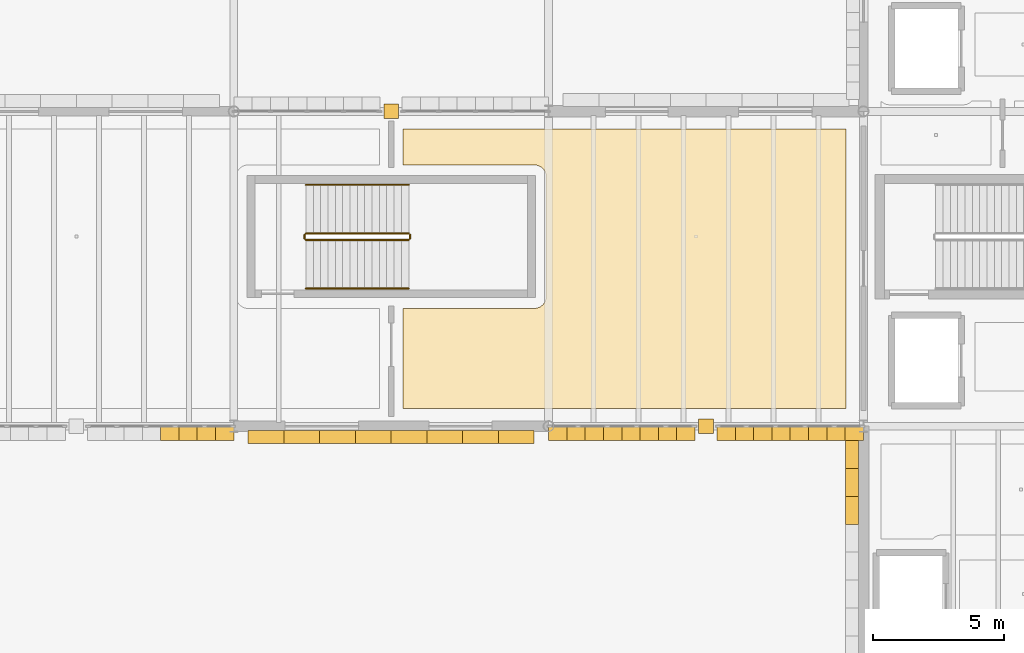
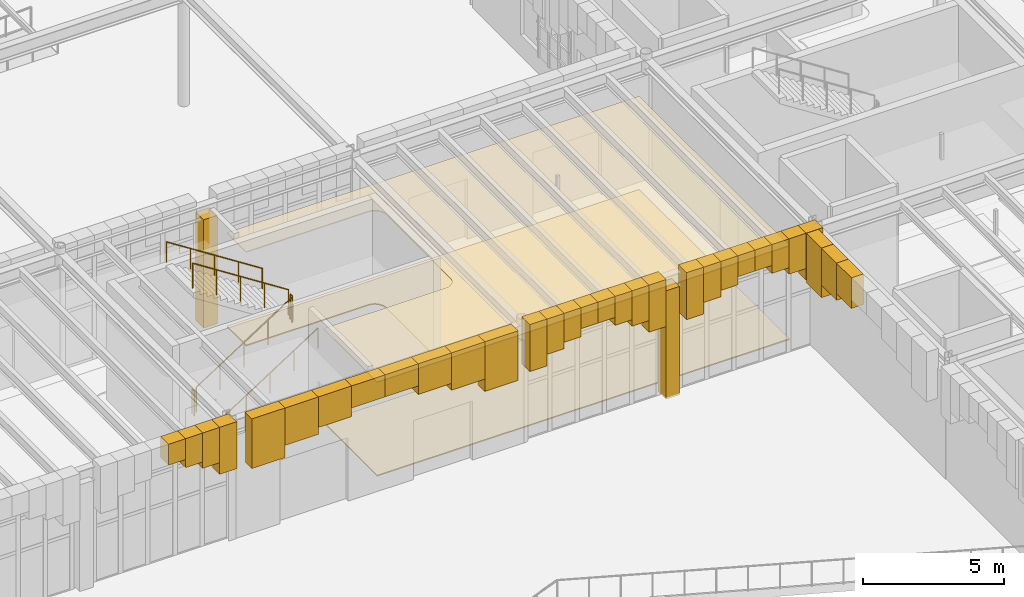
# One storey, part 87 of 103: 35 coverings, 6 railings.
"""IFC4 building model written with IfcOpenShell, lengths in metres."""

from ifc_helpers import new_model, si_unit, direction, frame, origin, origin_2d, place, context, subcontext, project, spatial, polyline, circle, outline, extrude, material, layer, layer_set, type_object, element, save


model = new_model("IFC4")

# Units and contexts
model_context = context("Model", 3, precision=1e-05, world=origin(), true_north=direction((0.0, 1.0)))
body_context = subcontext(model_context, "Body", "Model", "MODEL_VIEW")
ifc_project = project(units=[si_unit("LENGTHUNIT", "METRE"), si_unit("AREAUNIT", "SQUARE_METRE"), si_unit("VOLUMEUNIT", "CUBIC_METRE"), si_unit("PLANEANGLEUNIT", "RADIAN"), si_unit("MASSUNIT", "GRAM", prefix="KILO")], contexts=[model_context])

# Site, building, storey
site_placement = place(None, origin())
site = spatial("IfcSite", under=ifc_project, at=site_placement, CompositionType="ELEMENT")
building_placement = place(site_placement, origin())
building = spatial("IfcBuilding", under=site, at=building_placement, Name="Zlatogorsky Bluff Art Gallery", CompositionType="ELEMENT")
storey_placement = place(building_placement, origin())
storey = spatial("IfcBuildingStorey", under=building, at=storey_placement, Name="L00", CompositionType="ELEMENT", Elevation=0.0)

# Coverings
ifc_material_1 = material(Name="Perforated Gypsum Acoustic Board", Category="gypsum")
ifc_layer_1 = layer(ifc_material_1, 0.0400390625)
ifc_layer_set_1 = layer_set([ifc_layer_1], Name="Acoustic Gallery Ceiling CLG-01")
covering_type_1 = type_object("IfcCoveringType", Name="Acoustic Gallery Ceiling CLG-01", PredefinedType="CEILING", material=ifc_layer_set_1)
covering_1_placement = place(storey_placement, frame((0.0, 0.0, 4.050048828125)))
element("IfcCovering", 1, at=covering_1_placement, inside=storey, type_object=covering_type_1, Name="Winter-Garden Concourse acoustic ceiling", PredefinedType="CEILING", context=body_context, shape_type="SweptSolid", body=[
    extrude(outline(polyline([(102.449951171875, 84.669921875), (102.449951171875, 88.489990234375), (107.450927734375, 88.489990234375), (107.495361328125, 88.4921875), (107.539306640625, 88.498779296875), (107.540283203125, 88.498779296875), (107.549560546875, 88.5009765625), (107.550537109375, 88.501220703125), (107.59375, 88.512939453125), (107.6357421875, 88.529296875), (107.637451171875, 88.530029296875), (107.673095703125, 88.5478515625), (107.674072265625, 88.54833984375), (107.706298828125, 88.568115234375), (107.73681640625, 88.59033203125), (107.73828125, 88.591552734375), (107.775390625, 88.624755859375), (107.80859375, 88.661865234375), (107.809814453125, 88.663330078125), (107.83203125, 88.693603515625), (107.851806640625, 88.725830078125), (107.852294921875, 88.726806640625), (107.8701171875, 88.762451171875), (107.870849609375, 88.764404296875), (107.886962890625, 88.80615234375), (107.89892578125, 88.849609375), (107.899169921875, 88.850341796875), (107.901123046875, 88.859619140625), (107.9013671875, 88.860595703125), (107.90771484375, 88.90478515625), (107.909912109375, 88.948974609375), (107.909912109375, 93.5009765625), (107.90771484375, 93.54541015625), (107.9013671875, 93.58935546875), (107.901123046875, 93.59033203125), (107.899169921875, 93.599609375), (107.89892578125, 93.6005859375), (107.886962890625, 93.643798828125), (107.870849609375, 93.685791015625), (107.8701171875, 93.6875), (107.852294921875, 93.72314453125), (107.851806640625, 93.72412109375), (107.83203125, 93.75634765625), (107.809814453125, 93.78662109375), (107.80859375, 93.7880859375), (107.775390625, 93.8251953125), (107.73828125, 93.8583984375), (107.73681640625, 93.859619140625), (107.706298828125, 93.882080078125), (107.674072265625, 93.901611328125), (107.673095703125, 93.902099609375), (107.637451171875, 93.919921875), (107.63671875, 93.92041015625), (107.6357421875, 93.9208984375), (107.59375, 93.93701171875), (107.550537109375, 93.948974609375), (107.549560546875, 93.94921875), (107.540283203125, 93.951171875), (107.539306640625, 93.951416015625), (107.495361328125, 93.957763671875), (107.450927734375, 93.9599609375), (102.449951171875, 93.9599609375), (102.449951171875, 95.330078125), (119.330078125, 95.330078125), (119.330078125, 84.669921875), (102.449951171875, 84.669921875)])), origin(), (0.0, 0.0, 1.0), 0.0400390625),
])
ifc_material_2 = material(Name="Honed Red Agra-Tone Quartzitic Sandstone", Category="masonry")
ifc_layer_2 = layer(ifc_material_2, 0.1201171875)
ifc_layer_set_2 = layer_set([ifc_layer_2], Name="Carved Sandstone Cladding CLD-02")
covering_type_2 = type_object("IfcCoveringType", Name="Carved Sandstone Cladding CLD-02", PredefinedType="CLADDING", material=ifc_layer_set_2)
covering_2_placement = place(storey_placement, frame((0.0, 0.0, 4.45458984375)))
element("IfcCovering", 2, at=covering_2_placement, inside=storey, type_object=covering_type_2, Name="Pointed Mughal arch voussoir spandrel ARCH-CW-L00-S-07-08-B.5", PredefinedType="CLADDING", context=body_context, shape_type="SweptSolid", body=[
    extrude(outline(polyline([(93.2099609375, 83.4599609375), (93.907470703125, 83.4599609375), (93.907470703125, 84.030029296875), (93.2099609375, 84.030029296875), (93.2099609375, 83.4599609375)])), origin(), (0.0, 0.0, 1.0), 0.905517578125),
])
covering_3_placement = place(storey_placement, frame((0.0, 0.0, 4.1064453125)))
element("IfcCovering", 3, at=covering_3_placement, inside=storey, type_object=covering_type_2, Name="Pointed Mughal arch voussoir spandrel ARCH-CW-L00-S-07-08-B.6", PredefinedType="CLADDING", context=body_context, shape_type="SweptSolid", body=[
    extrude(outline(polyline([(93.907470703125, 83.4599609375), (94.60498046875, 83.4599609375), (94.60498046875, 84.030029296875), (93.907470703125, 84.030029296875), (93.907470703125, 83.4599609375)])), origin(), (0.0, 0.0, 1.0), 1.253662109375),
])
covering_4_placement = place(storey_placement, frame((0.0, 0.0, 3.82958984375)))
element("IfcCovering", 4, at=covering_4_placement, inside=storey, type_object=covering_type_2, Name="Pointed Mughal arch voussoir spandrel ARCH-CW-L00-S-07-08-B.7", PredefinedType="CLADDING", context=body_context, shape_type="SweptSolid", body=[
    extrude(outline(polyline([(94.60498046875, 83.4599609375), (95.302490234375, 83.4599609375), (95.302490234375, 84.030029296875), (94.60498046875, 84.030029296875), (94.60498046875, 83.4599609375)])), origin(), (0.0, 0.0, 1.0), 1.530517578125),
])
covering_5_placement = place(storey_placement, frame((0.0, 0.0, 3.327880859375)))
element("IfcCovering", 5, at=covering_5_placement, inside=storey, type_object=covering_type_2, Name="Pointed Mughal arch voussoir spandrel ARCH-CW-L00-S-07-08-B.8", PredefinedType="CLADDING", context=body_context, shape_type="SweptSolid", body=[
    extrude(outline(polyline([(95.302490234375, 83.4599609375), (96.0, 83.4599609375), (96.0, 84.030029296875), (95.302490234375, 84.030029296875), (95.302490234375, 83.4599609375)])), origin(), (0.0, 0.0, 1.0), 2.0322265625),
])
covering_6_placement = place(storey_placement, frame((0.0, 0.0, 3.21240234375)))
element("IfcCovering", 6, at=covering_6_placement, inside=storey, type_object=covering_type_2, Name="Pointed Mughal arch voussoir spandrel WARCH-L00-S-08-08-A.1", PredefinedType="CLADDING", context=body_context, shape_type="SweptSolid", body=[
    extrude(outline(polyline([(96.550048828125, 83.340087890625), (97.91259765625, 83.340087890625), (97.91259765625, 83.830078125), (96.550048828125, 83.830078125), (96.550048828125, 83.340087890625)])), origin(), (0.0, 0.0, 1.0), 2.147705078125),
])
covering_7_placement = place(storey_placement, frame((0.0, 0.0, 3.743896484375)))
element("IfcCovering", 7, at=covering_7_placement, inside=storey, type_object=covering_type_2, Name="Pointed Mughal arch voussoir spandrel WARCH-L00-S-08-08-A.2", PredefinedType="CLADDING", context=body_context, shape_type="SweptSolid", body=[
    extrude(outline(polyline([(97.91259765625, 83.340087890625), (99.27490234375, 83.340087890625), (99.27490234375, 83.830078125), (97.91259765625, 83.830078125), (97.91259765625, 83.340087890625)])), origin(), (0.0, 0.0, 1.0), 1.6162109375),
])
covering_8_placement = place(storey_placement, frame((0.0, 0.0, 4.03662109375)))
element("IfcCovering", 8, at=covering_8_placement, inside=storey, type_object=covering_type_2, Name="Pointed Mughal arch voussoir spandrel WARCH-L00-S-08-08-A.3", PredefinedType="CLADDING", context=body_context, shape_type="SweptSolid", body=[
    extrude(outline(polyline([(99.27490234375, 83.340087890625), (100.637451171875, 83.340087890625), (100.637451171875, 83.830078125), (99.27490234375, 83.830078125), (99.27490234375, 83.340087890625)])), origin(), (0.0, 0.0, 1.0), 1.323486328125),
])
covering_9_placement = place(storey_placement, frame((0.0, 0.0, 4.405517578125)))
element("IfcCovering", 9, at=covering_9_placement, inside=storey, type_object=covering_type_2, Name="Pointed Mughal arch voussoir spandrel WARCH-L00-S-08-08-A.4", PredefinedType="CLADDING", context=body_context, shape_type="SweptSolid", body=[
    extrude(outline(polyline([(100.637451171875, 83.340087890625), (102.0, 83.340087890625), (102.0, 83.830078125), (100.637451171875, 83.830078125), (100.637451171875, 83.340087890625)])), origin(), (0.0, 0.0, 1.0), 0.95458984375),
])
covering_10_placement = place(storey_placement, frame((0.0, 0.0, 4.405517578125)))
element("IfcCovering", 10, at=covering_10_placement, inside=storey, type_object=covering_type_2, Name="Pointed Mughal arch voussoir spandrel WARCH-L00-S-08-08-A.5", PredefinedType="CLADDING", context=body_context, shape_type="SweptSolid", body=[
    extrude(outline(polyline([(102.0, 83.340087890625), (103.362548828125, 83.340087890625), (103.362548828125, 83.830078125), (102.0, 83.830078125), (102.0, 83.340087890625)])), origin(), (0.0, 0.0, 1.0), 0.95458984375),
])
covering_11_placement = place(storey_placement, frame((0.0, 0.0, 4.03662109375)))
element("IfcCovering", 11, at=covering_11_placement, inside=storey, type_object=covering_type_2, Name="Pointed Mughal arch voussoir spandrel WARCH-L00-S-08-08-A.6", PredefinedType="CLADDING", context=body_context, shape_type="SweptSolid", body=[
    extrude(outline(polyline([(103.362548828125, 83.340087890625), (104.72509765625, 83.340087890625), (104.72509765625, 83.830078125), (103.362548828125, 83.830078125), (103.362548828125, 83.340087890625)])), origin(), (0.0, 0.0, 1.0), 1.323486328125),
])
covering_12_placement = place(storey_placement, frame((0.0, 0.0, 3.743896484375)))
element("IfcCovering", 12, at=covering_12_placement, inside=storey, type_object=covering_type_2, Name="Pointed Mughal arch voussoir spandrel WARCH-L00-S-08-08-A.7", PredefinedType="CLADDING", context=body_context, shape_type="SweptSolid", body=[
    extrude(outline(polyline([(104.72509765625, 83.340087890625), (106.08740234375, 83.340087890625), (106.08740234375, 83.830078125), (104.72509765625, 83.830078125), (104.72509765625, 83.340087890625)])), origin(), (0.0, 0.0, 1.0), 1.6162109375),
])
covering_13_placement = place(storey_placement, frame((0.0, 0.0, 3.21240234375)))
element("IfcCovering", 13, at=covering_13_placement, inside=storey, type_object=covering_type_2, Name="Pointed Mughal arch voussoir spandrel WARCH-L00-S-08-08-A.8", PredefinedType="CLADDING", context=body_context, shape_type="SweptSolid", body=[
    extrude(outline(polyline([(106.08740234375, 83.340087890625), (107.449951171875, 83.340087890625), (107.449951171875, 83.830078125), (106.08740234375, 83.830078125), (106.08740234375, 83.340087890625)])), origin(), (0.0, 0.0, 1.0), 2.147705078125),
])
covering_14_placement = place(storey_placement, frame((0.0, 0.0, -0.030029296875)))
element("IfcCovering", 14, at=covering_14_placement, inside=storey, type_object=covering_type_2, Name="Mughal dalan central sandstone pier L00 N 8.8", PredefinedType="CLADDING", context=body_context, shape_type="SweptSolid", body=[
    extrude(outline(polyline([(101.719970703125, 95.719970703125), (102.280029296875, 95.719970703125), (102.280029296875, 96.280029296875), (101.719970703125, 96.280029296875), (101.719970703125, 95.719970703125)])), origin(), (0.0, 0.0, 1.0), 4.68994140625),
])
covering_15_placement = place(storey_placement, frame((0.0, 0.0, -0.030029296875)))
element("IfcCovering", 15, at=covering_15_placement, inside=storey, type_object=covering_type_2, Name="Mughal dalan central sandstone pier L00 S 9.8", PredefinedType="CLADDING", context=body_context, shape_type="SweptSolid", body=[
    extrude(outline(polyline([(113.719970703125, 83.719970703125), (114.280029296875, 83.719970703125), (114.280029296875, 84.280029296875), (113.719970703125, 84.280029296875), (113.719970703125, 83.719970703125)])), origin(), (0.0, 0.0, 1.0), 4.68994140625),
])
covering_16_placement = place(storey_placement, frame((0.0, 0.0, 3.327880859375)))
element("IfcCovering", 16, at=covering_16_placement, inside=storey, type_object=covering_type_2, Name="Pointed Mughal arch voussoir spandrel ARCH-CW-L00-S-09-08-A.1", PredefinedType="CLADDING", context=body_context, shape_type="SweptSolid", body=[
    extrude(outline(polyline([(108.0, 83.4599609375), (108.697509765625, 83.4599609375), (108.697509765625, 84.030029296875), (108.0, 84.030029296875), (108.0, 83.4599609375)])), origin(), (0.0, 0.0, 1.0), 2.0322265625),
])
covering_17_placement = place(storey_placement, frame((0.0, 0.0, 3.82958984375)))
element("IfcCovering", 17, at=covering_17_placement, inside=storey, type_object=covering_type_2, Name="Pointed Mughal arch voussoir spandrel ARCH-CW-L00-S-09-08-A.2", PredefinedType="CLADDING", context=body_context, shape_type="SweptSolid", body=[
    extrude(outline(polyline([(108.697509765625, 83.4599609375), (109.39501953125, 83.4599609375), (109.39501953125, 84.030029296875), (108.697509765625, 84.030029296875), (108.697509765625, 83.4599609375)])), origin(), (0.0, 0.0, 1.0), 1.530517578125),
])
covering_18_placement = place(storey_placement, frame((0.0, 0.0, 4.1064453125)))
element("IfcCovering", 18, at=covering_18_placement, inside=storey, type_object=covering_type_2, Name="Pointed Mughal arch voussoir spandrel ARCH-CW-L00-S-09-08-A.3", PredefinedType="CLADDING", context=body_context, shape_type="SweptSolid", body=[
    extrude(outline(polyline([(109.39501953125, 83.4599609375), (110.092529296875, 83.4599609375), (110.092529296875, 84.030029296875), (109.39501953125, 84.030029296875), (109.39501953125, 83.4599609375)])), origin(), (0.0, 0.0, 1.0), 1.253662109375),
])
covering_19_placement = place(storey_placement, frame((0.0, 0.0, 4.45458984375)))
element("IfcCovering", 19, at=covering_19_placement, inside=storey, type_object=covering_type_2, Name="Pointed Mughal arch voussoir spandrel ARCH-CW-L00-S-09-08-A.4", PredefinedType="CLADDING", context=body_context, shape_type="SweptSolid", body=[
    extrude(outline(polyline([(110.092529296875, 83.4599609375), (110.7900390625, 83.4599609375), (110.7900390625, 84.030029296875), (110.092529296875, 84.030029296875), (110.092529296875, 83.4599609375)])), origin(), (0.0, 0.0, 1.0), 0.905517578125),
])
covering_20_placement = place(storey_placement, frame((0.0, 0.0, 4.45458984375)))
element("IfcCovering", 20, at=covering_20_placement, inside=storey, type_object=covering_type_2, Name="Pointed Mughal arch voussoir spandrel ARCH-CW-L00-S-09-08-A.5", PredefinedType="CLADDING", context=body_context, shape_type="SweptSolid", body=[
    extrude(outline(polyline([(110.7900390625, 83.4599609375), (111.487548828125, 83.4599609375), (111.487548828125, 84.030029296875), (110.7900390625, 84.030029296875), (110.7900390625, 83.4599609375)])), origin(), (0.0, 0.0, 1.0), 0.905517578125),
])
covering_21_placement = place(storey_placement, frame((0.0, 0.0, 4.1064453125)))
element("IfcCovering", 21, at=covering_21_placement, inside=storey, type_object=covering_type_2, Name="Pointed Mughal arch voussoir spandrel ARCH-CW-L00-S-09-08-A.6", PredefinedType="CLADDING", context=body_context, shape_type="SweptSolid", body=[
    extrude(outline(polyline([(111.487548828125, 83.4599609375), (112.18505859375, 83.4599609375), (112.18505859375, 84.030029296875), (111.487548828125, 84.030029296875), (111.487548828125, 83.4599609375)])), origin(), (0.0, 0.0, 1.0), 1.253662109375),
])
covering_22_placement = place(storey_placement, frame((0.0, 0.0, 3.82958984375)))
element("IfcCovering", 22, at=covering_22_placement, inside=storey, type_object=covering_type_2, Name="Pointed Mughal arch voussoir spandrel ARCH-CW-L00-S-09-08-A.7", PredefinedType="CLADDING", context=body_context, shape_type="SweptSolid", body=[
    extrude(outline(polyline([(112.18505859375, 83.4599609375), (112.882568359375, 83.4599609375), (112.882568359375, 84.030029296875), (112.18505859375, 84.030029296875), (112.18505859375, 83.4599609375)])), origin(), (0.0, 0.0, 1.0), 1.530517578125),
])
covering_23_placement = place(storey_placement, frame((0.0, 0.0, 3.327880859375)))
element("IfcCovering", 23, at=covering_23_placement, inside=storey, type_object=covering_type_2, Name="Pointed Mughal arch voussoir spandrel ARCH-CW-L00-S-09-08-A.8", PredefinedType="CLADDING", context=body_context, shape_type="SweptSolid", body=[
    extrude(outline(polyline([(112.882568359375, 83.4599609375), (113.580078125, 83.4599609375), (113.580078125, 84.030029296875), (112.882568359375, 84.030029296875), (112.882568359375, 83.4599609375)])), origin(), (0.0, 0.0, 1.0), 2.0322265625),
])
covering_24_placement = place(storey_placement, frame((0.0, 0.0, 3.327880859375)))
element("IfcCovering", 24, at=covering_24_placement, inside=storey, type_object=covering_type_2, Name="Pointed Mughal arch voussoir spandrel ARCH-CW-L00-S-09-08-B.1", PredefinedType="CLADDING", context=body_context, shape_type="SweptSolid", body=[
    extrude(outline(polyline([(114.419921875, 83.4599609375), (115.117431640625, 83.4599609375), (115.117431640625, 84.030029296875), (114.419921875, 84.030029296875), (114.419921875, 83.4599609375)])), origin(), (0.0, 0.0, 1.0), 2.0322265625),
])
covering_25_placement = place(storey_placement, frame((0.0, 0.0, 3.82958984375)))
element("IfcCovering", 25, at=covering_25_placement, inside=storey, type_object=covering_type_2, Name="Pointed Mughal arch voussoir spandrel ARCH-CW-L00-S-09-08-B.2", PredefinedType="CLADDING", context=body_context, shape_type="SweptSolid", body=[
    extrude(outline(polyline([(115.117431640625, 83.4599609375), (115.81494140625, 83.4599609375), (115.81494140625, 84.030029296875), (115.117431640625, 84.030029296875), (115.117431640625, 83.4599609375)])), origin(), (0.0, 0.0, 1.0), 1.530517578125),
])
covering_26_placement = place(storey_placement, frame((0.0, 0.0, 4.1064453125)))
element("IfcCovering", 26, at=covering_26_placement, inside=storey, type_object=covering_type_2, Name="Pointed Mughal arch voussoir spandrel ARCH-CW-L00-S-09-08-B.3", PredefinedType="CLADDING", context=body_context, shape_type="SweptSolid", body=[
    extrude(outline(polyline([(115.81494140625, 83.4599609375), (116.512451171875, 83.4599609375), (116.512451171875, 84.030029296875), (115.81494140625, 84.030029296875), (115.81494140625, 83.4599609375)])), origin(), (0.0, 0.0, 1.0), 1.253662109375),
])
covering_27_placement = place(storey_placement, frame((0.0, 0.0, 4.45458984375)))
element("IfcCovering", 27, at=covering_27_placement, inside=storey, type_object=covering_type_2, Name="Pointed Mughal arch voussoir spandrel ARCH-CW-L00-S-09-08-B.4", PredefinedType="CLADDING", context=body_context, shape_type="SweptSolid", body=[
    extrude(outline(polyline([(116.512451171875, 83.4599609375), (117.2099609375, 83.4599609375), (117.2099609375, 84.030029296875), (116.512451171875, 84.030029296875), (116.512451171875, 83.4599609375)])), origin(), (0.0, 0.0, 1.0), 0.905517578125),
])
covering_28_placement = place(storey_placement, frame((0.0, 0.0, 4.45458984375)))
element("IfcCovering", 28, at=covering_28_placement, inside=storey, type_object=covering_type_2, Name="Pointed Mughal arch voussoir spandrel ARCH-CW-L00-S-09-08-B.5", PredefinedType="CLADDING", context=body_context, shape_type="SweptSolid", body=[
    extrude(outline(polyline([(117.2099609375, 83.4599609375), (117.907470703125, 83.4599609375), (117.907470703125, 84.030029296875), (117.2099609375, 84.030029296875), (117.2099609375, 83.4599609375)])), origin(), (0.0, 0.0, 1.0), 0.905517578125),
])
covering_29_placement = place(storey_placement, frame((0.0, 0.0, 4.1064453125)))
element("IfcCovering", 29, at=covering_29_placement, inside=storey, type_object=covering_type_2, Name="Pointed Mughal arch voussoir spandrel ARCH-CW-L00-S-09-08-B.6", PredefinedType="CLADDING", context=body_context, shape_type="SweptSolid", body=[
    extrude(outline(polyline([(117.907470703125, 83.4599609375), (118.60498046875, 83.4599609375), (118.60498046875, 84.030029296875), (117.907470703125, 84.030029296875), (117.907470703125, 83.4599609375)])), origin(), (0.0, 0.0, 1.0), 1.253662109375),
])
covering_30_placement = place(storey_placement, frame((0.0, 0.0, 3.82958984375)))
element("IfcCovering", 30, at=covering_30_placement, inside=storey, type_object=covering_type_2, Name="Pointed Mughal arch voussoir spandrel ARCH-CW-L00-S-09-08-B.7", PredefinedType="CLADDING", context=body_context, shape_type="SweptSolid", body=[
    extrude(outline(polyline([(118.60498046875, 83.4599609375), (119.302490234375, 83.4599609375), (119.302490234375, 84.030029296875), (118.60498046875, 84.030029296875), (118.60498046875, 83.4599609375)])), origin(), (0.0, 0.0, 1.0), 1.530517578125),
])
covering_31_placement = place(storey_placement, frame((0.0, 0.0, 3.327880859375)))
element("IfcCovering", 31, at=covering_31_placement, inside=storey, type_object=covering_type_2, Name="Pointed Mughal arch voussoir spandrel ARCH-CW-L00-S-09-08-B.8", PredefinedType="CLADDING", context=body_context, shape_type="SweptSolid", body=[
    extrude(outline(polyline([(119.302490234375, 83.4599609375), (120.0, 83.4599609375), (120.0, 84.030029296875), (119.302490234375, 84.030029296875), (119.302490234375, 83.4599609375)])), origin(), (0.0, 0.0, 1.0), 2.0322265625),
])
covering_32_placement = place(storey_placement, frame((0.0, 0.0, 4.03662109375)))
element("IfcCovering", 32, at=covering_32_placement, inside=storey, type_object=covering_type_2, Name="Pointed Mughal arch voussoir spandrel WARCH-L00-W-10-07-A.6", PredefinedType="CLADDING", context=body_context, shape_type="SweptSolid", body=[
    extrude(outline(polyline([(119.320068359375, 80.262451171875), (119.320068359375, 81.324951171875), (119.81005859375, 81.324951171875), (119.81005859375, 80.262451171875), (119.320068359375, 80.262451171875)])), origin(), (0.0, 0.0, 1.0), 1.323486328125),
])
covering_33_placement = place(storey_placement, frame((0.0, 0.0, 3.743896484375)))
element("IfcCovering", 33, at=covering_33_placement, inside=storey, type_object=covering_type_2, Name="Pointed Mughal arch voussoir spandrel WARCH-L00-W-10-07-A.7", PredefinedType="CLADDING", context=body_context, shape_type="SweptSolid", body=[
    extrude(outline(polyline([(119.320068359375, 81.324951171875), (119.320068359375, 82.387451171875), (119.81005859375, 82.387451171875), (119.81005859375, 81.324951171875), (119.320068359375, 81.324951171875)])), origin(), (0.0, 0.0, 1.0), 1.6162109375),
])
covering_34_placement = place(storey_placement, frame((0.0, 0.0, 3.21240234375)))
element("IfcCovering", 34, at=covering_34_placement, inside=storey, type_object=covering_type_2, Name="Pointed Mughal arch voussoir spandrel WARCH-L00-W-10-07-A.8", PredefinedType="CLADDING", context=body_context, shape_type="SweptSolid", body=[
    extrude(outline(polyline([(119.320068359375, 82.387451171875), (119.320068359375, 83.449951171875), (119.81005859375, 83.449951171875), (119.81005859375, 82.387451171875), (119.320068359375, 82.387451171875)])), origin(), (0.0, 0.0, 1.0), 2.147705078125),
])

# Railings
ifc_material_3 = material(Name="Architectural Bronze and Laminated Glass", Category="glass")
railing_type_1 = type_object("IfcRailingType", Name="Gallery Guard Rail 1100mm", PredefinedType="GUARDRAIL", material=ifc_material_3)
railing_1_placement = place(storey_placement, frame((98.75, 91.10009765625, 0.179931640625)))
element("IfcRailing", 35, at=railing_1_placement, inside=storey, type_object=railing_type_1, Name="L00 ST-01 stair guard 1", PredefinedType="GUARDRAIL", context=body_context, shape_type="SweptSolid", body=[
    extrude(circle(Radius=0.02392578125, at=origin_2d()), frame((0.0, 0.0, 1.076171875), z_axis=(0.841171666519, 0.0, 0.540768182723), x_axis=(0.0, 1.0, 0.0)), (0.0, 0.0, 1.0), 4.66015625),
    extrude(circle(Radius=0.02099609375, at=origin_2d()), origin(), (0.0, 0.0, 1.0), 1.052001953125),
    extrude(circle(Radius=0.02099609375, at=origin_2d()), frame((0.97998046875, 0.0, 0.6298828125)), (0.0, 0.0, 1.0), 1.052001953125),
    extrude(circle(Radius=0.02099609375, at=origin_2d()), frame((1.9599609375, 0.0, 1.260009765625)), (0.0, 0.0, 1.0), 1.052001953125),
    extrude(circle(Radius=0.02099609375, at=origin_2d()), frame((2.93994140625, 0.0, 1.89013671875)), (0.0, 0.0, 1.0), 1.052001953125),
    extrude(circle(Radius=0.02099609375, at=origin_2d()), frame((3.919921875, 0.0, 2.52001953125)), (0.0, 0.0, 1.0), 1.052001953125),
])
railing_2_placement = place(storey_placement, frame((102.719970703125, 91.14990234375, 2.699951171875)))
element("IfcRailing", 36, at=railing_2_placement, inside=storey, type_object=railing_type_1, Name="L00 ST-01 stair guard 2", PredefinedType="GUARDRAIL", context=body_context, shape_type="SweptSolid", body=[
    extrude(circle(Radius=0.02392578125, at=origin_2d()), frame((0.0, 0.0, 1.076171875), z_axis=(0.0, 1.0, 0.0), x_axis=(-1.0, 0.0, 0.0)), (0.0, 0.0, 1.0), 0.150146484375),
    extrude(circle(Radius=0.02099609375, at=origin_2d()), origin(), (0.0, 0.0, 1.0), 1.052001953125),
    extrude(circle(Radius=0.02099609375, at=origin_2d()), frame((0.0, 0.150146484375, 0.0)), (0.0, 0.0, 1.0), 1.052001953125),
])
railing_3_placement = place(storey_placement, frame((102.669921875, 91.35009765625, 2.8798828125)))
element("IfcRailing", 37, at=railing_3_placement, inside=storey, type_object=railing_type_1, Name="L00 ST-01 stair guard 3", PredefinedType="GUARDRAIL", context=body_context, shape_type="SweptSolid", body=[
    extrude(circle(Radius=0.02392578125, at=origin_2d()), frame((0.0, 0.0, 1.076171875), z_axis=(-0.841171666519, 0.0, 0.540768182723), x_axis=(0.0, -1.0, 0.0)), (0.0, 0.0, 1.0), 4.66015625),
    extrude(circle(Radius=0.02099609375, at=origin_2d()), origin(), (0.0, 0.0, 1.0), 1.052001953125),
    extrude(circle(Radius=0.02099609375, at=origin_2d()), frame((-0.97998046875, 0.0, 0.6298828125)), (0.0, 0.0, 1.0), 1.052001953125),
    extrude(circle(Radius=0.02099609375, at=origin_2d()), frame((-1.9599609375, 0.0, 1.260009765625)), (0.0, 0.0, 1.0), 1.052001953125),
    extrude(circle(Radius=0.02099609375, at=origin_2d()), frame((-2.93994140625, 0.0, 1.89013671875)), (0.0, 0.0, 1.0), 1.052001953125),
    extrude(circle(Radius=0.02099609375, at=origin_2d()), frame((-3.919921875, 0.0, 2.52001953125)), (0.0, 0.0, 1.0), 1.052001953125),
])
railing_4_placement = place(storey_placement, frame((98.699951171875, 91.14990234375, 0.0)))
element("IfcRailing", 38, at=railing_4_placement, inside=storey, type_object=railing_type_1, Name="L00 ST-01 stair guard 4", PredefinedType="GUARDRAIL", context=body_context, shape_type="SweptSolid", body=[
    extrude(circle(Radius=0.02392578125, at=origin_2d()), frame((0.0, 0.0, 1.076171875), z_axis=(0.0, 1.0, 0.0), x_axis=(-1.0, 0.0, 0.0)), (0.0, 0.0, 1.0), 0.150146484375),
    extrude(circle(Radius=0.02099609375, at=origin_2d()), origin(), (0.0, 0.0, 1.0), 1.052001953125),
    extrude(circle(Radius=0.02099609375, at=origin_2d()), frame((0.0, 0.150146484375, 0.0)), (0.0, 0.0, 1.0), 1.052001953125),
])
ifc_material_4 = material(Name="Brushed Stainless Steel", Category="steel")
railing_type_2 = type_object("IfcRailingType", Name="Stair Pitch Handrail 900mm", PredefinedType="HANDRAIL", material=ifc_material_4)
railing_5_placement = place(storey_placement, frame((98.75, 89.25, 0.179931640625)))
element("IfcRailing", 39, at=railing_5_placement, inside=storey, type_object=railing_type_2, Name="L00 ST-01 stair handrail 1", PredefinedType="HANDRAIL", context=body_context, shape_type="SweptSolid", body=[
    extrude(circle(Radius=0.02392578125, at=origin_2d()), frame((0.0, 0.0, 0.8759765625), z_axis=(0.841171666519, 0.0, 0.540768182723), x_axis=(0.0, 1.0, 0.0)), (0.0, 0.0, 1.0), 4.66015625),
    extrude(circle(Radius=0.02099609375, at=origin_2d()), origin(), (0.0, 0.0, 1.0), 0.851806640625),
    extrude(circle(Radius=0.02099609375, at=origin_2d()), frame((0.97998046875, 0.0, 0.6298828125)), (0.0, 0.0, 1.0), 0.851806640625),
    extrude(circle(Radius=0.02099609375, at=origin_2d()), frame((1.9599609375, 0.0, 1.260009765625)), (0.0, 0.0, 1.0), 0.851806640625),
    extrude(circle(Radius=0.02099609375, at=origin_2d()), frame((2.93994140625, 0.0, 1.89013671875)), (0.0, 0.0, 1.0), 0.851806640625),
    extrude(circle(Radius=0.02099609375, at=origin_2d()), frame((3.919921875, 0.0, 2.52001953125)), (0.0, 0.0, 1.0), 0.851806640625),
])
railing_6_placement = place(storey_placement, frame((102.669921875, 93.199951171875, 2.8798828125)))
element("IfcRailing", 40, at=railing_6_placement, inside=storey, type_object=railing_type_2, Name="L00 ST-01 stair handrail 2", PredefinedType="HANDRAIL", context=body_context, shape_type="SweptSolid", body=[
    extrude(circle(Radius=0.02392578125, at=origin_2d()), frame((0.0, 0.0, 0.8759765625), z_axis=(-0.841171666519, 0.0, 0.540768182723), x_axis=(0.0, -1.0, 0.0)), (0.0, 0.0, 1.0), 4.66015625),
    extrude(circle(Radius=0.02099609375, at=origin_2d()), origin(), (0.0, 0.0, 1.0), 0.851806640625),
    extrude(circle(Radius=0.02099609375, at=origin_2d()), frame((-0.97998046875, 0.0, 0.6298828125)), (0.0, 0.0, 1.0), 0.851806640625),
    extrude(circle(Radius=0.02099609375, at=origin_2d()), frame((-1.9599609375, 0.0, 1.260009765625)), (0.0, 0.0, 1.0), 0.851806640625),
    extrude(circle(Radius=0.02099609375, at=origin_2d()), frame((-2.93994140625, 0.0, 1.89013671875)), (0.0, 0.0, 1.0), 0.851806640625),
    extrude(circle(Radius=0.02099609375, at=origin_2d()), frame((-3.919921875, 0.0, 2.52001953125)), (0.0, 0.0, 1.0), 0.851806640625),
])

# Covering
ifc_material_5 = material(Name="Polished Ural Marble Terrazzo", Category="masonry")
ifc_layer_3 = layer(ifc_material_5, 0.050048828125)
ifc_layer_set_3 = layer_set([ifc_layer_3], Name="Terrazzo Gallery Flooring FLR-01")
covering_type_3 = type_object("IfcCoveringType", Name="Terrazzo Gallery Flooring FLR-01", PredefinedType="FLOORING", material=ifc_layer_set_3)
covering_35_placement = place(storey_placement, origin())
element("IfcCovering", 41, at=covering_35_placement, inside=storey, type_object=covering_type_3, Name="Winter-Garden Concourse terrazzo floor finish", PredefinedType="FLOORING", context=body_context, shape_type="SweptSolid", body=[
    extrude(outline(polyline([(102.449951171875, 84.669921875), (102.449951171875, 88.489990234375), (107.450927734375, 88.489990234375), (107.495361328125, 88.4921875), (107.539306640625, 88.498779296875), (107.540283203125, 88.498779296875), (107.549560546875, 88.5009765625), (107.550537109375, 88.501220703125), (107.59375, 88.512939453125), (107.6357421875, 88.529296875), (107.637451171875, 88.530029296875), (107.673095703125, 88.5478515625), (107.674072265625, 88.54833984375), (107.706298828125, 88.568115234375), (107.73681640625, 88.59033203125), (107.73828125, 88.591552734375), (107.775390625, 88.624755859375), (107.80859375, 88.661865234375), (107.809814453125, 88.663330078125), (107.83203125, 88.693603515625), (107.851806640625, 88.725830078125), (107.852294921875, 88.726806640625), (107.8701171875, 88.762451171875), (107.870849609375, 88.764404296875), (107.886962890625, 88.80615234375), (107.89892578125, 88.849609375), (107.899169921875, 88.850341796875), (107.901123046875, 88.859619140625), (107.9013671875, 88.860595703125), (107.90771484375, 88.90478515625), (107.909912109375, 88.948974609375), (107.909912109375, 93.5009765625), (107.90771484375, 93.54541015625), (107.9013671875, 93.58935546875), (107.901123046875, 93.59033203125), (107.899169921875, 93.599609375), (107.89892578125, 93.6005859375), (107.886962890625, 93.643798828125), (107.870849609375, 93.685791015625), (107.8701171875, 93.6875), (107.852294921875, 93.72314453125), (107.851806640625, 93.72412109375), (107.83203125, 93.75634765625), (107.809814453125, 93.78662109375), (107.80859375, 93.7880859375), (107.775390625, 93.8251953125), (107.73828125, 93.8583984375), (107.73681640625, 93.859619140625), (107.706298828125, 93.882080078125), (107.674072265625, 93.901611328125), (107.673095703125, 93.902099609375), (107.637451171875, 93.919921875), (107.63671875, 93.92041015625), (107.6357421875, 93.9208984375), (107.59375, 93.93701171875), (107.550537109375, 93.948974609375), (107.549560546875, 93.94921875), (107.540283203125, 93.951171875), (107.539306640625, 93.951416015625), (107.495361328125, 93.957763671875), (107.450927734375, 93.9599609375), (102.449951171875, 93.9599609375), (102.449951171875, 95.330078125), (119.330078125, 95.330078125), (119.330078125, 84.669921875), (102.449951171875, 84.669921875)])), origin(), (0.0, 0.0, 1.0), 0.050048828125),
])

save(model, "model.ifc")
